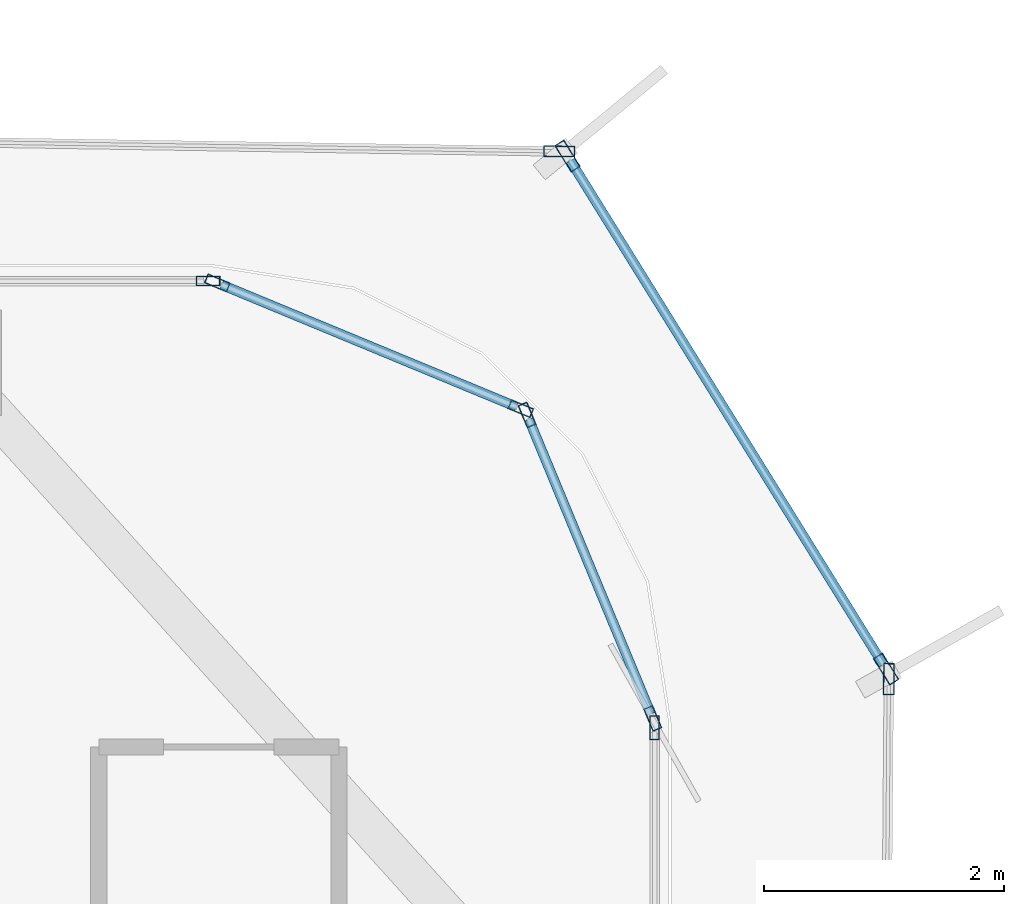
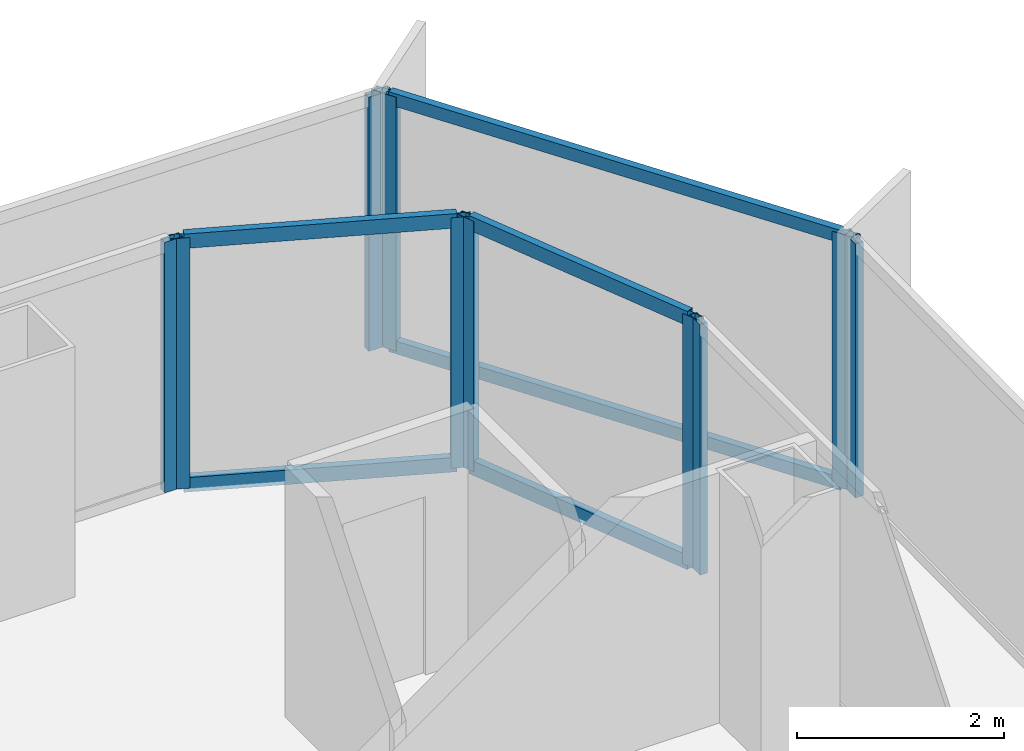
# One storey, part 14 of 21: 16 members, 7 elements without a shape of their own.
"""IFC4 building model written with IfcOpenShell, lengths in metres."""

from ifc_helpers import new_model, si_unit, direction, frame, origin, origin_2d, place, context, subcontext, project, spatial, hollow_rectangle, extrude, source, transform, mapped, material, layer, layer_set, material_profile, profile_set, type_object, element, aggregate, save


model = new_model("IFC4")

# Units and contexts
model_context = context("Model", 3, precision=1e-05, world=origin(), true_north=direction((0.0, 1.0)))
body_context = subcontext(model_context, "Body", "Model", "MODEL_VIEW")
ifc_project = project(units=[si_unit("LENGTHUNIT", "METRE"), si_unit("AREAUNIT", "SQUARE_METRE"), si_unit("VOLUMEUNIT", "CUBIC_METRE"), si_unit("PLANEANGLEUNIT", "RADIAN"), si_unit("MASSUNIT", "GRAM", prefix="KILO")], contexts=[model_context])

# Site, building, storey
site_placement = place(None, origin())
site = spatial("IfcSite", under=ifc_project, at=site_placement, CompositionType="ELEMENT")
building_placement = place(site_placement, origin())
building = spatial("IfcBuilding", under=site, at=building_placement, Name="Kolveth Station Tower", CompositionType="ELEMENT")
storey_placement = place(building_placement, frame((0.0, 0.0, 111.89990234375)))
storey = spatial("IfcBuildingStorey", under=building, at=storey_placement, Name="L30", CompositionType="ELEMENT", Elevation=111.89990234375)

# Curtain wall, members
ifc_material_1 = material(Name="Aluminium 6063-T6 and low-E dark glass", Category="aluminium")
ifc_layer_1 = layer(ifc_material_1, 0.18994140625)
ifc_layer_set_1 = layer_set([ifc_layer_1], Name="Aluminium 6063-T6 and low-E dark glass")
curtain_wall_type_1 = type_object("IfcCurtainWallType", Name="CurtainWall_CW-Z2", PredefinedType="NOTDEFINED", material=ifc_layer_set_1)
curtain_wall_1_placement = place(storey_placement, origin())
curtain_wall_1 = element("IfcCurtainWall", 1, at=curtain_wall_1_placement, inside=storey, type_object=curtain_wall_type_1, Name="L30 Inner Thermal Curtain Wall 4", PredefinedType="NOTDEFINED")
ifc_material_2 = material(Name="Black anodized aluminium 6063-T6", Category="aluminium")
ifc_material_profile_1 = material_profile(ifc_material_2, hollow_rectangle(XDim=0.080078125, YDim=0.169921875, WallThickness=0.0048828125, at=origin_2d()), Name="ALU-80x170x5")
ifc_profile_set_1 = profile_set([ifc_material_profile_1], Name="Black anodized aluminium 6063-T6")
member_type_1 = type_object("IfcMemberType", Name="Transom_TR2", PredefinedType="USERDEFINED", material=ifc_profile_set_1)
shared_shape_1 = source(origin(), body_context, "Body", "SweptSolid", [
    extrude(hollow_rectangle(XDim=0.080078125, YDim=0.169921875, WallThickness=0.0048828125, at=origin_2d()), origin(), (0.0, 0.0, 1.0), 2.656494140625),
])
member_1_placement = place(storey_placement, frame((46.849365234375, 31.573974609375, 0.0400390625), z_axis=(-0.382676455475, 0.923882422403, 0.0), x_axis=(-0.923882422403, -0.382676455475, 0.0)))
member_1 = element("IfcMember", 2, at=member_1_placement, type_object=member_type_1, Name="CW-Z2 transom 1.1", ObjectType="TRANSOM", PredefinedType="USERDEFINED", context=body_context, shape_type="MappedRepresentation", body=[
    mapped(shared_shape_1, transform((0.0, 0.0, 0.0), x_axis=(1.0, 0.0, 0.0), y_axis=(0.0, 1.0, 0.0), z_axis=(0.0, 0.0, 1.0), scale=1.0)),
])
member_2_placement = place(storey_placement, frame((46.849365234375, 31.573974609375, 2.91015625), z_axis=(-0.382676455475, 0.923882422403, 0.0), x_axis=(-0.923882422403, -0.382676455475, 0.0)))
member_2 = element("IfcMember", 3, at=member_2_placement, type_object=member_type_1, Name="CW-Z2 transom 1.2", ObjectType="TRANSOM", PredefinedType="USERDEFINED", context=body_context, shape_type="MappedRepresentation", body=[
    mapped(shared_shape_1, transform((0.0, 0.0, 0.0), x_axis=(1.0, 0.0, 0.0), y_axis=(0.0, 1.0, 0.0), z_axis=(0.0, 0.0, 1.0), scale=1.0)),
])

curtain_wall_2_placement = place(storey_placement, origin())
curtain_wall_2 = element("IfcCurtainWall", 4, at=curtain_wall_2_placement, inside=storey, type_object=curtain_wall_type_1, Name="L30 Inner Thermal Curtain Wall 5", PredefinedType="NOTDEFINED")
member_3_placement = place(storey_placement, frame((45.728271484375, 34.1328125, 0.0400390625), z_axis=(-0.923882422403, 0.382676455475, 0.0), x_axis=(-0.382676455475, -0.923882422403, 0.0)))
member_3 = element("IfcMember", 5, at=member_3_placement, type_object=member_type_1, Name="CW-Z2 transom 1.1", ObjectType="TRANSOM", PredefinedType="USERDEFINED", context=body_context, shape_type="MappedRepresentation", body=[
    mapped(shared_shape_1, transform((0.0, 0.0, 0.0), x_axis=(1.0, 0.0, 0.0), y_axis=(0.0, 1.0, 0.0), z_axis=(0.0, 0.0, 1.0), scale=1.0)),
])
member_4_placement = place(storey_placement, frame((45.728271484375, 34.1328125, 2.91015625), z_axis=(-0.923882422403, 0.382676455475, 0.0), x_axis=(-0.382676455475, -0.923882422403, 0.0)))
member_4 = element("IfcMember", 6, at=member_4_placement, type_object=member_type_1, Name="CW-Z2 transom 1.2", ObjectType="TRANSOM", PredefinedType="USERDEFINED", context=body_context, shape_type="MappedRepresentation", body=[
    mapped(shared_shape_1, transform((0.0, 0.0, 0.0), x_axis=(1.0, 0.0, 0.0), y_axis=(0.0, 1.0, 0.0), z_axis=(0.0, 0.0, 1.0), scale=1.0)),
])

# Curtain wall, member
ifc_material_3 = material(Name="Black anodized aluminium 6063-T6 and dark solar glass", Category="aluminium")
ifc_layer_2 = layer(ifc_material_3, 0.159912109375)
ifc_layer_set_2 = layer_set([ifc_layer_2], Name="Black anodized aluminium 6063-T6 and dark solar glass")
curtain_wall_type_2 = type_object("IfcCurtainWallType", Name="OUTER SKIN CW-OS", PredefinedType="NOTDEFINED", material=ifc_layer_set_2)
curtain_wall_3_placement = place(storey_placement, origin())
curtain_wall_3 = element("IfcCurtainWall", 7, at=curtain_wall_3_placement, inside=storey, type_object=curtain_wall_type_2, Name="L30 Outer Ventilated Skin Curtain Wall 2", PredefinedType="NOTDEFINED")
ifc_material_profile_2 = material_profile(ifc_material_2, hollow_rectangle(XDim=0.090087890625, YDim=0.260009765625, WallThickness=0.0048828125, at=origin_2d()), Name="ALU-90x260x5")
ifc_profile_set_2 = profile_set([ifc_material_profile_2], Name="Black anodized aluminium 6063-T6")
member_type_2 = type_object("IfcMemberType", Name="FIN MULLION ML-OS", PredefinedType="MULLION", material=ifc_profile_set_2)
shared_shape_2 = source(origin(), body_context, "Body", "SweptSolid", [
    extrude(hollow_rectangle(XDim=0.090087890625, YDim=0.260009765625, WallThickness=0.0048828125, at=origin_2d()), origin(), (0.0, 0.0, 1.0), 2.989990234375),
])
member_5_placement = place(storey_placement, frame((48.83154296875, 31.865234375, 0.0), z_axis=(0.0, 0.0, 1.0), x_axis=(-0.99996676574, 0.008152755074, 0.0)))
member_5 = element("IfcMember", 8, at=member_5_placement, type_object=member_type_2, Name="CW-OS mullion 2", PredefinedType="MULLION", context=body_context, shape_type="MappedRepresentation", body=[
    mapped(shared_shape_2, transform((0.0, 0.0, 0.0), x_axis=(1.0, 0.0, 0.0), y_axis=(0.0, 1.0, 0.0), z_axis=(0.0, 0.0, 1.0), scale=1.0)),
])
aggregate(curtain_wall_3, [member_5])

# Curtain wall, members
curtain_wall_4_placement = place(storey_placement, origin())
curtain_wall_4 = element("IfcCurtainWall", 9, at=curtain_wall_4_placement, inside=storey, type_object=curtain_wall_type_2, Name="L30 Outer Ventilated Skin Curtain Wall 3", PredefinedType="NOTDEFINED")
member_6_placement = place(storey_placement, frame((48.808349609375, 31.948486328125, 0.0), z_axis=(0.0, 0.0, 1.0), x_axis=(-0.849538459932, -0.52752668662, 0.0)))
member_6 = element("IfcMember", 10, at=member_6_placement, type_object=member_type_2, Name="CW-OS mullion 1", PredefinedType="MULLION", context=body_context, shape_type="MappedRepresentation", body=[
    mapped(shared_shape_2, transform((0.0, 0.0, 0.0), x_axis=(1.0, 0.0, 0.0), y_axis=(0.0, 1.0, 0.0), z_axis=(0.0, 0.0, 1.0), scale=1.0)),
])
member_7_placement = place(storey_placement, frame((46.154541015625, 36.221923828125, 0.0), z_axis=(0.0, 0.0, 1.0), x_axis=(-0.849538459932, -0.52752668662, 0.0)))
member_7 = element("IfcMember", 11, at=member_7_placement, type_object=member_type_2, Name="CW-OS mullion 2", PredefinedType="MULLION", context=body_context, shape_type="MappedRepresentation", body=[
    mapped(shared_shape_2, transform((0.0, 0.0, 0.0), x_axis=(1.0, 0.0, 0.0), y_axis=(0.0, 1.0, 0.0), z_axis=(0.0, 0.0, 1.0), scale=1.0)),
])

# Curtain wall, member
curtain_wall_5_placement = place(storey_placement, origin())
curtain_wall_5 = element("IfcCurtainWall", 12, at=curtain_wall_5_placement, inside=storey, type_object=curtain_wall_type_2, Name="L30 Outer Ventilated Skin Curtain Wall 4", PredefinedType="NOTDEFINED")
member_8_placement = place(storey_placement, frame((46.0859375, 36.260986328125, 0.0), z_axis=(0.0, 0.0, 1.0), x_axis=(-0.015457232416, -0.999880529846, 0.0)))
member_8 = element("IfcMember", 13, at=member_8_placement, type_object=member_type_2, Name="CW-OS mullion 1", PredefinedType="MULLION", context=body_context, shape_type="MappedRepresentation", body=[
    mapped(shared_shape_2, transform((0.0, 0.0, 0.0), x_axis=(1.0, 0.0, 0.0), y_axis=(0.0, 1.0, 0.0), z_axis=(0.0, 0.0, 1.0), scale=1.0)),
])
aggregate(curtain_wall_5, [member_8])

curtain_wall_6_placement = place(storey_placement, origin())
curtain_wall_6 = element("IfcCurtainWall", 14, at=curtain_wall_6_placement, inside=storey, type_object=curtain_wall_type_1, Name="L30 Inner Thermal Curtain Wall 3", PredefinedType="NOTDEFINED")
ifc_material_profile_3 = material_profile(ifc_material_2, hollow_rectangle(XDim=0.080078125, YDim=0.199951171875, WallThickness=0.0048828125, at=origin_2d()), Name="ALU-80x200x5")
ifc_profile_set_3 = profile_set([ifc_material_profile_3], Name="Black anodized aluminium 6063-T6")
member_type_3 = type_object("IfcMemberType", Name="Mullion_ML2", PredefinedType="MULLION", material=ifc_profile_set_3)
shared_shape_3 = source(origin(), body_context, "Body", "SweptSolid", [
    extrude(hollow_rectangle(XDim=0.080078125, YDim=0.199951171875, WallThickness=0.0048828125, at=origin_2d()), origin(), (0.0, 0.0, 1.0), 2.9501953125),
])
member_9_placement = place(storey_placement, frame((46.8798828125, 31.4599609375, 0.0), z_axis=(0.0, 0.0, 1.0), x_axis=(-1.0, 0.0, 0.0)))
member_9 = element("IfcMember", 15, at=member_9_placement, type_object=member_type_3, Name="CW-Z2 mullion 2", PredefinedType="MULLION", context=body_context, shape_type="MappedRepresentation", body=[
    mapped(shared_shape_3, transform((0.0, 0.0, 0.0), x_axis=(1.0, 0.0, 0.0), y_axis=(0.0, 1.0, 0.0), z_axis=(0.0, 0.0, 1.0), scale=1.0)),
])
aggregate(curtain_wall_6, [member_9])

# Member
member_10_placement = place(storey_placement, frame((46.86474609375, 31.536865234375, 0.0), z_axis=(0.0, 0.0, 1.0), x_axis=(-0.923887883787, -0.38266326998, 0.0)))
member_10 = element("IfcMember", 16, at=member_10_placement, type_object=member_type_3, Name="CW-Z2 mullion 1", PredefinedType="MULLION", context=body_context, shape_type="MappedRepresentation", body=[
    mapped(shared_shape_3, transform((0.0, 0.0, 0.0), x_axis=(1.0, 0.0, 0.0), y_axis=(0.0, 1.0, 0.0), z_axis=(0.0, 0.0, 1.0), scale=1.0)),
])

member_11_placement = place(storey_placement, frame((45.817626953125, 34.065185546875, 0.0), z_axis=(0.0, 0.0, 1.0), x_axis=(-0.923887883787, -0.38266326998, 0.0)))
member_11 = element("IfcMember", 17, at=member_11_placement, type_object=member_type_3, Name="CW-Z2 mullion 2", PredefinedType="MULLION", context=body_context, shape_type="MappedRepresentation", body=[
    mapped(shared_shape_3, transform((0.0, 0.0, 0.0), x_axis=(1.0, 0.0, 0.0), y_axis=(0.0, 1.0, 0.0), z_axis=(0.0, 0.0, 1.0), scale=1.0)),
])

aggregate(curtain_wall_1, [member_10, member_11, member_1, member_2])

member_12_placement = place(storey_placement, frame((45.76513671875, 34.117431640625, 0.0), z_axis=(0.0, 0.0, 1.0), x_axis=(-0.38266326998, -0.923887883787, 0.0)))
member_12 = element("IfcMember", 18, at=member_12_placement, type_object=member_type_3, Name="CW-Z2 mullion 1", PredefinedType="MULLION", context=body_context, shape_type="MappedRepresentation", body=[
    mapped(shared_shape_3, transform((0.0, 0.0, 0.0), x_axis=(1.0, 0.0, 0.0), y_axis=(0.0, 1.0, 0.0), z_axis=(0.0, 0.0, 1.0), scale=1.0)),
])

member_13_placement = place(storey_placement, frame((43.237060546875, 35.164794921875, 0.0), z_axis=(0.0, 0.0, 1.0), x_axis=(-0.38266326998, -0.923887883787, 0.0)))
member_13 = element("IfcMember", 19, at=member_13_placement, type_object=member_type_3, Name="CW-Z2 mullion 2", PredefinedType="MULLION", context=body_context, shape_type="MappedRepresentation", body=[
    mapped(shared_shape_3, transform((0.0, 0.0, 0.0), x_axis=(1.0, 0.0, 0.0), y_axis=(0.0, 1.0, 0.0), z_axis=(0.0, 0.0, 1.0), scale=1.0)),
])

aggregate(curtain_wall_2, [member_12, member_13, member_3, member_4])

# Curtain wall, member
curtain_wall_7_placement = place(storey_placement, origin())
curtain_wall_7 = element("IfcCurtainWall", 20, at=curtain_wall_7_placement, inside=storey, type_object=curtain_wall_type_1, Name="L30 Inner Thermal Curtain Wall 6", PredefinedType="NOTDEFINED")
member_14_placement = place(storey_placement, frame((43.159912109375, 35.179931640625, 0.0), z_axis=(0.0, 0.0, 1.0), x_axis=(0.0, -1.0, 0.0)))
member_14 = element("IfcMember", 21, at=member_14_placement, type_object=member_type_3, Name="CW-Z2 mullion 1", PredefinedType="MULLION", context=body_context, shape_type="MappedRepresentation", body=[
    mapped(shared_shape_3, transform((0.0, 0.0, 0.0), x_axis=(1.0, 0.0, 0.0), y_axis=(0.0, 1.0, 0.0), z_axis=(0.0, 0.0, 1.0), scale=1.0)),
])
aggregate(curtain_wall_7, [member_14])

# Member
ifc_material_profile_4 = material_profile(ifc_material_2, hollow_rectangle(XDim=0.080078125, YDim=0.14990234375, WallThickness=0.0048828125, at=origin_2d()), Name="ALU-80x150x5")
ifc_profile_set_4 = profile_set([ifc_material_profile_4], Name="Black anodized aluminium 6063-T6")
member_type_4 = type_object("IfcMemberType", Name="Transom_TR-OS", PredefinedType="USERDEFINED", material=ifc_profile_set_4)
shared_shape_4 = source(origin(), body_context, "Body", "SweptSolid", [
    extrude(hollow_rectangle(XDim=0.080078125, YDim=0.14990234375, WallThickness=0.0048828125, at=origin_2d()), origin(), (0.0, 0.0, 1.0), 4.940185546875),
])
member_15_placement = place(storey_placement, frame((48.784423828125, 31.98681640625, 0.0400390625), z_axis=(-0.527495713286, 0.849557692252, 0.0), x_axis=(-0.849557692252, -0.527495713286, 0.0)))
member_15 = element("IfcMember", 22, at=member_15_placement, type_object=member_type_4, Name="CW-OS transom 1.1", ObjectType="TRANSOM", PredefinedType="USERDEFINED", context=body_context, shape_type="MappedRepresentation", body=[
    mapped(shared_shape_4, transform((0.0, 0.0, 0.0), x_axis=(1.0, 0.0, 0.0), y_axis=(0.0, 1.0, 0.0), z_axis=(0.0, 0.0, 1.0), scale=1.0)),
])

member_16_placement = place(storey_placement, frame((48.784423828125, 31.98681640625, 2.9501953125), z_axis=(-0.527495713286, 0.849557692252, 0.0), x_axis=(-0.849557692252, -0.527495713286, 0.0)))
member_16 = element("IfcMember", 23, at=member_16_placement, type_object=member_type_4, Name="CW-OS transom 1.2", ObjectType="TRANSOM", PredefinedType="USERDEFINED", context=body_context, shape_type="MappedRepresentation", body=[
    mapped(shared_shape_4, transform((0.0, 0.0, 0.0), x_axis=(1.0, 0.0, 0.0), y_axis=(0.0, 1.0, 0.0), z_axis=(0.0, 0.0, 1.0), scale=1.0)),
])

aggregate(curtain_wall_4, [member_6, member_7, member_15, member_16])

save(model, "model.ifc")
